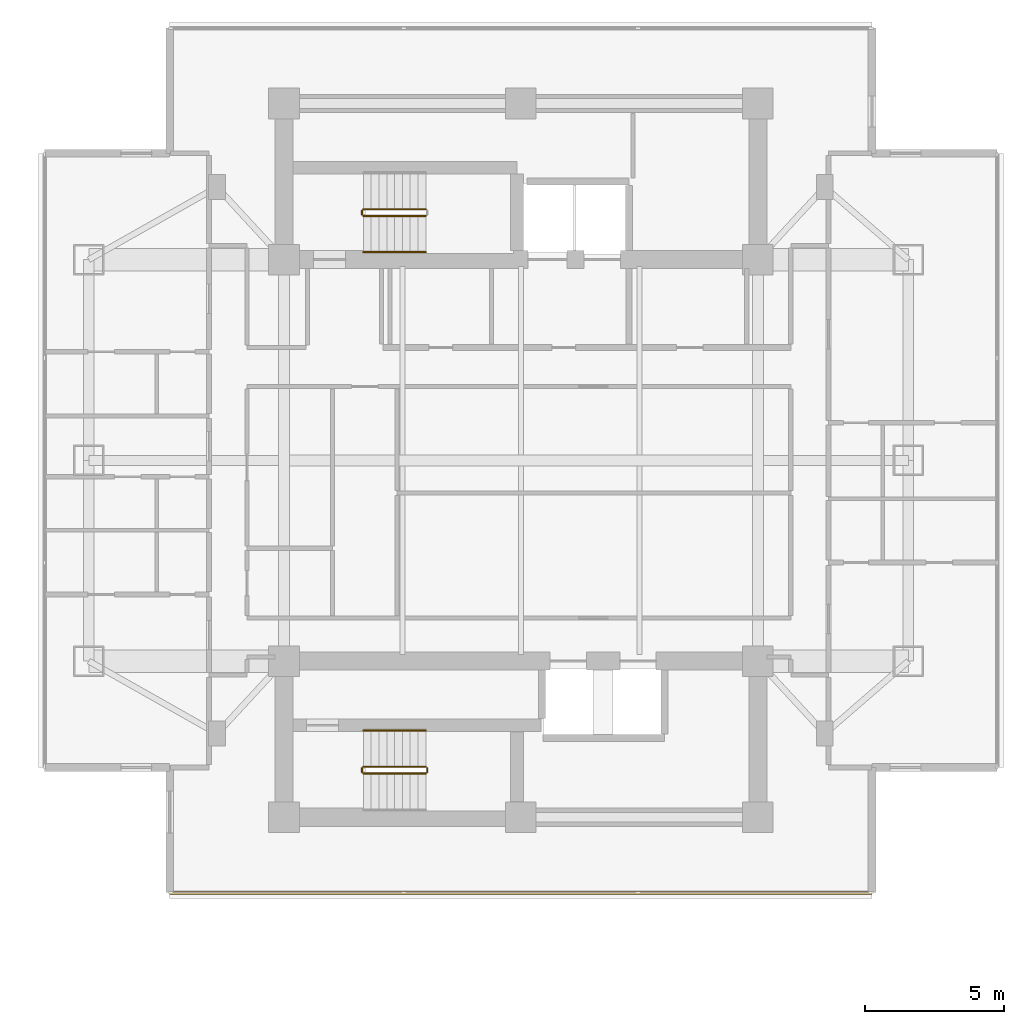
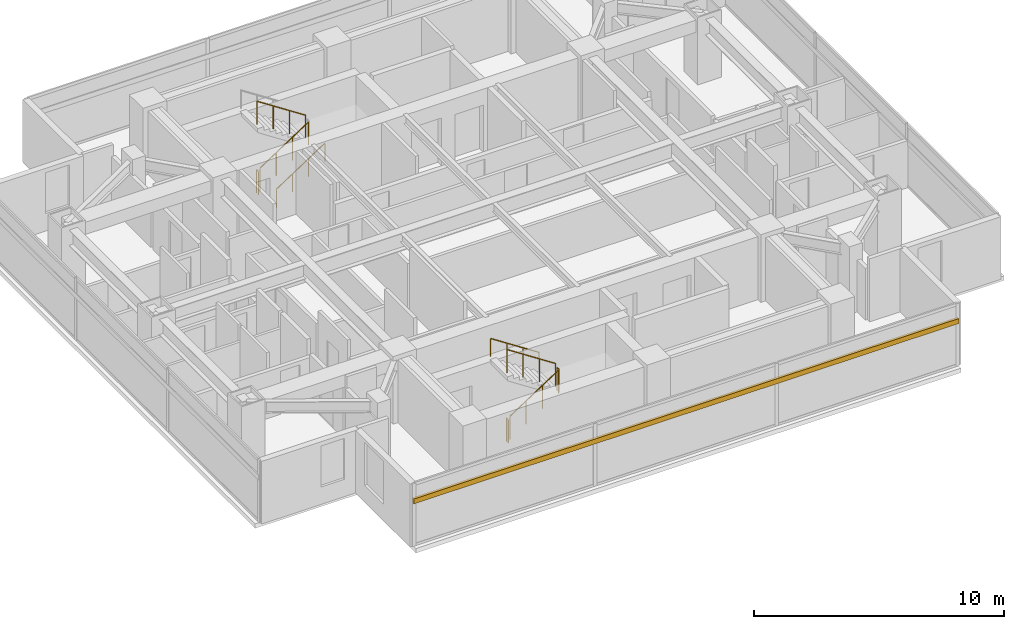
# One storey, part 24 of 26: 9 railings, 1 shading device.
"""IFC4 building model written with IfcOpenShell, lengths in metres."""

from ifc_helpers import new_model, si_unit, direction, frame, origin, origin_2d, place, context, subcontext, project, spatial, rectangle, circle, extrude, material, material_profile, profile_set, type_object, element, save


model = new_model("IFC4")

# Units and contexts
model_context = context("Model", 3, precision=1e-05, world=origin(), true_north=direction((0.0, 1.0)))
body_context = subcontext(model_context, "Body", "Model", "MODEL_VIEW")
ifc_project = project(units=[si_unit("LENGTHUNIT", "METRE"), si_unit("AREAUNIT", "SQUARE_METRE"), si_unit("VOLUMEUNIT", "CUBIC_METRE"), si_unit("PLANEANGLEUNIT", "RADIAN"), si_unit("MASSUNIT", "GRAM", prefix="KILO")], contexts=[model_context])

# Site, building, storey
site_placement = place(None, origin())
site = spatial("IfcSite", under=ifc_project, at=site_placement, CompositionType="ELEMENT")
building_placement = place(site_placement, origin())
building = spatial("IfcBuilding", under=site, at=building_placement, Name="Mirazonda Arch Towers", CompositionType="ELEMENT")
storey_placement = place(building_placement, frame((0.0, 0.0, 121.39990234375)))
storey = spatial("IfcBuildingStorey", under=building, at=storey_placement, Name="L34", CompositionType="ELEMENT", Elevation=121.39990234375)

# Shading device
ifc_material_1 = material(Name="Kiln-Fired Architectural Terracotta", Category="masonry")
ifc_material_profile = material_profile(ifc_material_1, rectangle(XDim=0.1201171875, YDim=0.239990234375, at=origin_2d()), Name="TERRA-BAG-120x240")
ifc_profile_set = profile_set([ifc_material_profile], Name="Kiln-Fired Architectural Terracotta")
shading_device_type = type_object("IfcShadingDeviceType", Name="BAGUETTE-1", PredefinedType="USERDEFINED", material=ifc_profile_set)
shading_device_placement = place(storey_placement, frame((89.096435546875, 12.497802734375, 2.203369140625), z_axis=(-1.0, 0.0, 0.0), x_axis=(0.0, -1.0, 0.0)))
element("IfcShadingDevice", 1, at=shading_device_placement, inside=storey, type_object=shading_device_type, Name="L34 Glazed Terracotta Sun-Screen Baguette CW-L34-T2-S", ObjectType="BAGUETTE", PredefinedType="USERDEFINED", context=body_context, shape_type="SweptSolid", body=[
    extrude(rectangle(XDim=0.1201171875, YDim=0.239990234375, at=origin_2d()), origin(), (0.0, 0.0, 1.0), 25.19287109375),
])

# Railings
ifc_material_2 = material(Name="Architectural Brushed Steel S355", Category="steel")
railing_type_1 = type_object("IfcRailingType", Name="GUARD-STAIR-1120", PredefinedType="GUARDRAIL", material=ifc_material_2)
railing_1_placement = place(storey_placement, frame((70.85009765625, 36.77001953125, 0.183349609375)))
element("IfcRailing", 2, at=railing_1_placement, inside=storey, type_object=railing_type_1, Name="L34 ST-T2N stair guard 1", PredefinedType="GUARDRAIL", context=body_context, shape_type="SweptSolid", body=[
    extrude(circle(Radius=0.02392578125, at=origin_2d()), frame((0.0, 0.0, 1.1259765625), z_axis=(0.836595146698, 0.0, 0.547821650285), x_axis=(0.0, 1.0, 0.0)), (0.0, 0.0, 1.0), 2.677490234375),
    extrude(circle(Radius=0.02099609375, at=origin_2d()), origin(), (0.0, 0.0, 1.0), 1.101806640625),
    extrude(circle(Radius=0.02099609375, at=origin_2d()), frame((0.74658203125, 0.0, 0.489013671875)), (0.0, 0.0, 1.0), 1.101806640625),
    extrude(circle(Radius=0.02099609375, at=origin_2d()), frame((1.493408203125, 0.0, 0.977783203125)), (0.0, 0.0, 1.0), 1.101806640625),
    extrude(circle(Radius=0.02099609375, at=origin_2d()), frame((2.239990234375, 0.0, 1.466796875)), (0.0, 0.0, 1.0), 1.101806640625),
])
railing_2_placement = place(storey_placement, frame((73.090087890625, 37.010009765625, 1.83349609375)))
element("IfcRailing", 3, at=railing_2_placement, inside=storey, type_object=railing_type_1, Name="L34 ST-T2N stair guard 3", PredefinedType="GUARDRAIL", context=body_context, shape_type="SweptSolid", body=[
    extrude(circle(Radius=0.02392578125, at=origin_2d()), frame((0.0, 0.0, 1.1259765625), z_axis=(-0.836636935527, 0.0, 0.547757827979), x_axis=(0.0, -1.0, 0.0)), (0.0, 0.0, 1.0), 2.677490234375),
    extrude(circle(Radius=0.02099609375, at=origin_2d()), origin(), (0.0, 0.0, 1.0), 1.101806640625),
    extrude(circle(Radius=0.02099609375, at=origin_2d()), frame((-0.74658203125, 0.0, 0.48876953125)), (0.0, 0.0, 1.0), 1.101806640625),
    extrude(circle(Radius=0.02099609375, at=origin_2d()), frame((-1.493408203125, 0.0, 0.977783203125)), (0.0, 0.0, 1.0), 1.101806640625),
    extrude(circle(Radius=0.02099609375, at=origin_2d()), frame((-2.239990234375, 0.0, 1.466552734375)), (0.0, 0.0, 1.0), 1.101806640625),
])
railing_3_placement = place(storey_placement, frame((70.800048828125, 36.820068359375, 0.0)))
element("IfcRailing", 4, at=railing_3_placement, inside=storey, type_object=railing_type_1, Name="L34 ST-T2N stair guard 4", PredefinedType="GUARDRAIL", context=body_context, shape_type="SweptSolid", body=[
    extrude(circle(Radius=0.02392578125, at=origin_2d()), frame((0.0, 0.0, 1.1259765625), z_axis=(0.0, 1.0, 0.0), x_axis=(-1.0, 0.0, 0.0)), (0.0, 0.0, 1.0), 0.139892578125),
    extrude(circle(Radius=0.02099609375, at=origin_2d()), origin(), (0.0, 0.0, 1.0), 1.101806640625),
    extrude(circle(Radius=0.02099609375, at=origin_2d()), frame((0.0, 0.139892578125, 0.0)), (0.0, 0.0, 1.0), 1.101806640625),
])
railing_4_placement = place(storey_placement, frame((70.85009765625, 16.77001953125, 0.183349609375)))
element("IfcRailing", 5, at=railing_4_placement, inside=storey, type_object=railing_type_1, Name="L34 ST-T2S stair guard 1", PredefinedType="GUARDRAIL", context=body_context, shape_type="SweptSolid", body=[
    extrude(circle(Radius=0.02392578125, at=origin_2d()), frame((0.0, 0.0, 1.1259765625), z_axis=(0.836595146698, 0.0, 0.547821650285), x_axis=(0.0, 1.0, 0.0)), (0.0, 0.0, 1.0), 2.677490234375),
    extrude(circle(Radius=0.02099609375, at=origin_2d()), origin(), (0.0, 0.0, 1.0), 1.101806640625),
    extrude(circle(Radius=0.02099609375, at=origin_2d()), frame((0.74658203125, 0.0, 0.489013671875)), (0.0, 0.0, 1.0), 1.101806640625),
    extrude(circle(Radius=0.02099609375, at=origin_2d()), frame((1.493408203125, 0.0, 0.977783203125)), (0.0, 0.0, 1.0), 1.101806640625),
    extrude(circle(Radius=0.02099609375, at=origin_2d()), frame((2.239990234375, 0.0, 1.466796875)), (0.0, 0.0, 1.0), 1.101806640625),
])
railing_5_placement = place(storey_placement, frame((73.139892578125, 16.820068359375, 1.650146484375)))
element("IfcRailing", 6, at=railing_5_placement, inside=storey, type_object=railing_type_1, Name="L34 ST-T2S stair guard 2", PredefinedType="GUARDRAIL", context=body_context, shape_type="SweptSolid", body=[
    extrude(circle(Radius=0.02392578125, at=origin_2d()), frame((0.0, 0.0, 1.1259765625), z_axis=(0.0, 1.0, 0.0), x_axis=(-1.0, 0.0, 0.0)), (0.0, 0.0, 1.0), 0.139892578125),
    extrude(circle(Radius=0.02099609375, at=origin_2d()), origin(), (0.0, 0.0, 1.0), 1.101806640625),
    extrude(circle(Radius=0.02099609375, at=origin_2d()), frame((0.0, 0.139892578125, 0.0)), (0.0, 0.0, 1.0), 1.101806640625),
])
railing_6_placement = place(storey_placement, frame((73.090087890625, 17.010009765625, 1.83349609375)))
element("IfcRailing", 7, at=railing_6_placement, inside=storey, type_object=railing_type_1, Name="L34 ST-T2S stair guard 3", PredefinedType="GUARDRAIL", context=body_context, shape_type="SweptSolid", body=[
    extrude(circle(Radius=0.02392578125, at=origin_2d()), frame((0.0, 0.0, 1.1259765625), z_axis=(-0.836636935527, 0.0, 0.547757827979), x_axis=(0.0, -1.0, 0.0)), (0.0, 0.0, 1.0), 2.677490234375),
    extrude(circle(Radius=0.02099609375, at=origin_2d()), origin(), (0.0, 0.0, 1.0), 1.101806640625),
    extrude(circle(Radius=0.02099609375, at=origin_2d()), frame((-0.74658203125, 0.0, 0.48876953125)), (0.0, 0.0, 1.0), 1.101806640625),
    extrude(circle(Radius=0.02099609375, at=origin_2d()), frame((-1.493408203125, 0.0, 0.977783203125)), (0.0, 0.0, 1.0), 1.101806640625),
    extrude(circle(Radius=0.02099609375, at=origin_2d()), frame((-2.239990234375, 0.0, 1.466552734375)), (0.0, 0.0, 1.0), 1.101806640625),
])
railing_7_placement = place(storey_placement, frame((70.800048828125, 16.820068359375, 0.0)))
element("IfcRailing", 8, at=railing_7_placement, inside=storey, type_object=railing_type_1, Name="L34 ST-T2S stair guard 4", PredefinedType="GUARDRAIL", context=body_context, shape_type="SweptSolid", body=[
    extrude(circle(Radius=0.02392578125, at=origin_2d()), frame((0.0, 0.0, 1.1259765625), z_axis=(0.0, 1.0, 0.0), x_axis=(-1.0, 0.0, 0.0)), (0.0, 0.0, 1.0), 0.139892578125),
    extrude(circle(Radius=0.02099609375, at=origin_2d()), origin(), (0.0, 0.0, 1.0), 1.101806640625),
    extrude(circle(Radius=0.02099609375, at=origin_2d()), frame((0.0, 0.139892578125, 0.0)), (0.0, 0.0, 1.0), 1.101806640625),
])
railing_type_2 = type_object("IfcRailingType", Name="HANDRAIL-915", PredefinedType="HANDRAIL", material=ifc_material_2)
railing_8_placement = place(storey_placement, frame((70.85009765625, 35.469970703125, 0.183349609375)))
element("IfcRailing", 9, at=railing_8_placement, inside=storey, type_object=railing_type_2, Name="L34 ST-T2N stair handrail 1", PredefinedType="HANDRAIL", context=body_context, shape_type="SweptSolid", body=[
    extrude(circle(Radius=0.02392578125, at=origin_2d()), frame((0.0, 0.0, 0.8759765625), z_axis=(0.836595146698, 0.0, 0.547821650285), x_axis=(0.0, 1.0, 0.0)), (0.0, 0.0, 1.0), 2.677490234375),
    extrude(circle(Radius=0.02099609375, at=origin_2d()), origin(), (0.0, 0.0, 1.0), 0.851806640625),
    extrude(circle(Radius=0.02099609375, at=origin_2d()), frame((0.74658203125, 0.0, 0.489013671875)), (0.0, 0.0, 1.0), 0.851806640625),
    extrude(circle(Radius=0.02099609375, at=origin_2d()), frame((1.493408203125, 0.0, 0.977783203125)), (0.0, 0.0, 1.0), 0.851806640625),
    extrude(circle(Radius=0.02099609375, at=origin_2d()), frame((2.239990234375, 0.0, 1.466796875)), (0.0, 0.0, 1.0), 0.851806640625),
])
railing_9_placement = place(storey_placement, frame((73.090087890625, 18.31005859375, 1.83349609375)))
element("IfcRailing", 10, at=railing_9_placement, inside=storey, type_object=railing_type_2, Name="L34 ST-T2S stair handrail 2", PredefinedType="HANDRAIL", context=body_context, shape_type="SweptSolid", body=[
    extrude(circle(Radius=0.02392578125, at=origin_2d()), frame((0.0, 0.0, 0.8759765625), z_axis=(-0.836636935527, 0.0, 0.547757827979), x_axis=(0.0, -1.0, 0.0)), (0.0, 0.0, 1.0), 2.677490234375),
    extrude(circle(Radius=0.02099609375, at=origin_2d()), origin(), (0.0, 0.0, 1.0), 0.851806640625),
    extrude(circle(Radius=0.02099609375, at=origin_2d()), frame((-0.74658203125, 0.0, 0.48876953125)), (0.0, 0.0, 1.0), 0.851806640625),
    extrude(circle(Radius=0.02099609375, at=origin_2d()), frame((-1.493408203125, 0.0, 0.977783203125)), (0.0, 0.0, 1.0), 0.851806640625),
    extrude(circle(Radius=0.02099609375, at=origin_2d()), frame((-2.239990234375, 0.0, 1.466552734375)), (0.0, 0.0, 1.0), 0.851806640625),
])

save(model, "model.ifc")
